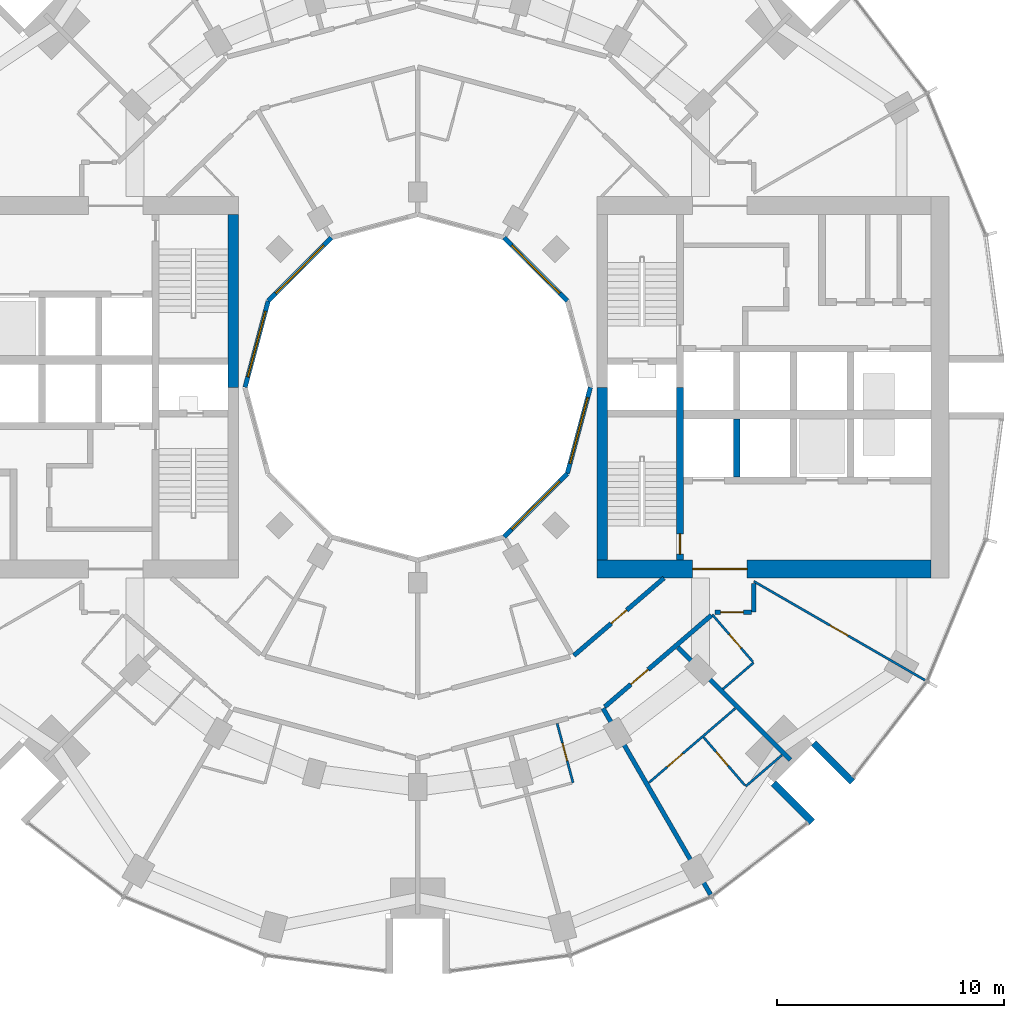
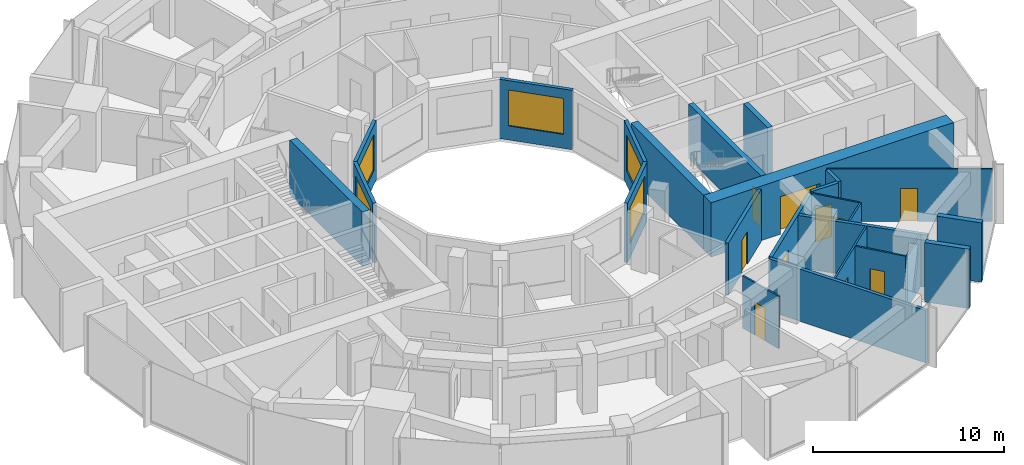
# One storey, part 10 of 15: 25 walls, 10 doors, 5 windows, 15 openings.
"""IFC4 building model written with IfcOpenShell, lengths in metres."""

from ifc_helpers import new_model, si_unit, direction, frame, frame_2d, origin, place, context, subcontext, project, spatial, rectangle, extrude, material, layer, layer_set, type_object, element, fill, save


model = new_model("IFC4")

# Units and contexts
model_context = context("Model", 3, precision=1e-05, world=origin(), true_north=direction((0.0, 1.0)))
body_context = subcontext(model_context, "Body", "Model", "MODEL_VIEW")
ifc_project = project(units=[si_unit("LENGTHUNIT", "METRE"), si_unit("AREAUNIT", "SQUARE_METRE"), si_unit("VOLUMEUNIT", "CUBIC_METRE"), si_unit("PLANEANGLEUNIT", "RADIAN"), si_unit("MASSUNIT", "GRAM", prefix="KILO")], contexts=[model_context])

# Site, building, storey
site_placement = place(None, origin())
site = spatial("IfcSite", under=ifc_project, at=site_placement, CompositionType="ELEMENT")
building_placement = place(site_placement, origin())
building = spatial("IfcBuilding", under=site, at=building_placement, Name="Torre Brocal", CompositionType="ELEMENT")
storey_placement = place(building_placement, frame((0.0, 0.0, 32.60009765625)))
storey = spatial("IfcBuildingStorey", under=building, at=storey_placement, Name="L06", CompositionType="ELEMENT", Elevation=32.60009765625)

# Wall, opening, door
ifc_material_1 = material(Name="Concrete C80", Category="concrete")
ifc_layer_1 = layer(ifc_material_1, 0.300048828125)
ifc_layer_set_1 = layer_set([ifc_layer_1], Name="Concrete C80")
wall_type_1 = type_object("IfcWallType", Name="CORE WALL 300 C80", PredefinedType="SHEAR", material=ifc_layer_set_1)
wall_1_placement = place(storey_placement, frame((91.550048828125, 67.39990234375, 0.0), z_axis=(0.0, 0.0, 1.0), x_axis=(0.0, 1.0, 0.0)))
wall_1 = element("IfcWall", 1, at=wall_1_placement, inside=storey, type_object=wall_type_1, Name="Wall CW300-80", PredefinedType="SHEAR", context=body_context, shape_type="SweptSolid", body=[
    extrude(rectangle(XDim=7.60009765625, YDim=0.300048828125, at=frame_2d((3.800048828125, 0.0))), origin(), (0.0, 0.0, 1.0), 3.47998046875),
])
opening_1_placement = place(wall_1_placement, frame((0.25, 0.0, 0.0)))
opening_1 = element("IfcOpeningElement", 2, at=opening_1_placement, cuts=wall_1, Name="Opening E-D03", PredefinedType="OPENING", context=body_context, shape_type="SweptSolid", body=[
    extrude(rectangle(XDim=0.89990234375, YDim=2.10009765625, at=frame_2d((0.449951171875, 1.050048828125))), frame((0.0, 0.159912109375, 0.0), z_axis=(0.0, -1.0, 0.0), x_axis=(1.0, 0.0, 0.0)), (0.0, 0.0, 1.0), 0.320068359375),
])
ifc_material_2 = material(Name="Steel A653", Category="steel")
door_type_1 = type_object("IfcDoorType", Name="STAIR DOOR FD120 900X2100", OperationType="SINGLE_SWING_RIGHT", PredefinedType="DOOR", material=ifc_material_2)
door_1_placement = place(opening_1_placement, origin())
door_1 = element("IfcDoor", 3, at=door_1_placement, inside=storey, type_object=door_type_1, Name="Door E-D03", OperationType="SINGLE_SWING_LEFT", OverallHeight=2.10009765625, OverallWidth=0.89990234375, PredefinedType="DOOR", context=body_context, shape_type="SweptSolid", body=[
    extrude(rectangle(XDim=0.89990234375, YDim=2.10009765625, at=frame_2d((0.449951171875, 1.050048828125))), frame((0.0, 0.02490234375, 0.0), z_axis=(0.0, -1.0, 0.0), x_axis=(1.0, 0.0, 0.0)), (0.0, 0.0, 1.0), 0.050048828125),
])
fill(opening_1, door_1)

# Walls
wall_2_placement = place(storey_placement, frame((94.050048828125, 71.050048828125, 0.0), z_axis=(0.0, 0.0, 1.0), x_axis=(0.0, 1.0, 0.0)))
element("IfcWall", 4, at=wall_2_placement, inside=storey, type_object=wall_type_1, Name="Wall CW300-80", PredefinedType="SHEAR", context=body_context, shape_type="SweptSolid", body=[
    extrude(rectangle(XDim=2.550048828125, YDim=0.300048828125, at=frame_2d((1.27490234375, 0.0))), origin(), (0.0, 0.0, 1.0), 3.47998046875),
])
ifc_material_3 = material(Name="Concrete C80", Category="concrete")
ifc_layer_2 = layer(ifc_material_3, 0.449951171875)
ifc_layer_set_2 = layer_set([ifc_layer_2], Name="Concrete C80")
wall_type_2 = type_object("IfcWallType", Name="CORE WALL 450 C80", PredefinedType="SHEAR", material=ifc_layer_set_2)
for number, where, z_axis, x_axis, name in (
    (5, (88.125, 67.39990234375, 0.0), (0.0, 0.0, 1.0), (0.0, 1.0, 0.0), "Wall CW450-80"),
    (6, (71.875, 82.60009765625, 0.0), (0.0, 0.0, 1.0), (0.0, -1.0, 0.0), "Wall CW450-80"),
):
    element("IfcWall", number, at=place(storey_placement, frame(where, z_axis=z_axis, x_axis=x_axis)), inside=storey, type_object=wall_type_2, Name=name, PredefinedType="SHEAR", context=body_context, shape_type="SweptSolid", body=[
        extrude(rectangle(XDim=7.60009765625, YDim=0.449951171875, at=frame_2d((3.800048828125, 0.0))), origin(), (0.0, 0.0, 1.0), 3.47998046875),
    ])

# Wall, opening, door
ifc_material_4 = material(Name="Concrete C80", Category="concrete")
ifc_layer_3 = layer(ifc_material_4, 0.800048828125)
ifc_layer_set_3 = layer_set([ifc_layer_3], Name="Concrete C80")
wall_type_3 = type_object("IfcWallType", Name="CORE WALL 800 C80", PredefinedType="SHEAR", material=ifc_layer_set_3)
wall_3_placement = place(storey_placement, frame((87.89990234375, 67.0, 0.0), z_axis=(0.0, 0.0, 1.0), x_axis=(1.0, 0.0, 0.0)))
wall_3 = element("IfcWall", 7, at=wall_3_placement, inside=storey, type_object=wall_type_3, Name="Wall CW800-80", PredefinedType="SHEAR", context=body_context, shape_type="SweptSolid", body=[
    extrude(rectangle(XDim=14.7001953125, YDim=0.800048828125, at=frame_2d((7.35009765625, 0.0))), origin(), (0.0, 0.0, 1.0), 3.47998046875),
])
opening_2_placement = place(wall_3_placement, frame((4.199951171875, 0.0, 0.0)))
opening_2 = element("IfcOpeningElement", 8, at=opening_2_placement, cuts=wall_3, Name="Opening E-D30", PredefinedType="OPENING", context=body_context, shape_type="SweptSolid", body=[
    extrude(rectangle(XDim=2.39990234375, YDim=2.39990234375, at=frame_2d((1.199951171875, 1.199951171875))), frame((0.0, 0.409912109375, 0.0), z_axis=(0.0, -1.0, 0.0), x_axis=(1.0, 0.0, 0.0)), (0.0, 0.0, 1.0), 0.820068359375),
])
ifc_material_5 = material(Name="Steel A653", Category="steel")
door_type_2 = type_object("IfcDoorType", Name="DOUBLE FIRE DOOR FD90 2400X2400", OperationType="DOUBLE_DOOR_SINGLE_SWING", PredefinedType="DOOR", material=ifc_material_5)
door_2_placement = place(opening_2_placement, origin())
door_2 = element("IfcDoor", 9, at=door_2_placement, inside=storey, type_object=door_type_2, Name="Door E-D30", OperationType="DOUBLE_DOOR_SINGLE_SWING", OverallHeight=2.39990234375, OverallWidth=2.39990234375, PredefinedType="DOOR", context=body_context, shape_type="SweptSolid", body=[
    extrude(rectangle(XDim=2.39990234375, YDim=2.39990234375, at=frame_2d((1.199951171875, 1.199951171875))), frame((0.0, 0.02490234375, 0.0), z_axis=(0.0, -1.0, 0.0), x_axis=(1.0, 0.0, 0.0)), (0.0, 0.0, 1.0), 0.050048828125),
])
fill(opening_2, door_2)

# Walls
ifc_material_6 = material(Name="Concrete C80", Category="concrete")
ifc_layer_4 = layer(ifc_material_6, 0.300048828125)
ifc_layer_set_4 = layer_set([ifc_layer_4], Name="Concrete C80")
wall_type_4 = type_object("IfcWallType", Name="NOTCH RETURN WALL 300 C80", PredefinedType="NOTDEFINED", material=ifc_layer_set_4)
for number, where, z_axis, x_axis, name in (
    (10, (95.662353515625, 57.56982421875, 0.0), (0.0, 0.0, 1.0), (0.707106781187, -0.707106781187, 0.0), "NOTCH RETURN WALL"),
    (11, (97.43017578125, 59.337646484375, 0.0), (0.0, 0.0, 1.0), (0.707106781187, -0.707106781187, 0.0), "NOTCH RETURN WALL"),
):
    element("IfcWall", number, at=place(storey_placement, frame(where, z_axis=z_axis, x_axis=x_axis)), inside=storey, type_object=wall_type_4, Name=name, PredefinedType="NOTDEFINED", context=body_context, shape_type="SweptSolid", body=[
        extrude(rectangle(XDim=2.415771484375, YDim=0.300048828125, at=frame_2d((1.2080078125, 0.0))), origin(), (0.0, 0.0, 1.0), 3.7998046875),
    ])

# Wall, opening, door
ifc_material_7 = material(Name="Gypsum board", Category="Gypsum")
ifc_layer_5 = layer(ifc_material_7, 0.10009765625)
ifc_layer_set_5 = layer_set([ifc_layer_5], Name="Gypsum board")
wall_type_5 = type_object("IfcWallType", Name="PARTITION 100", PredefinedType="PARTITIONING", material=ifc_layer_set_5)
wall_4_placement = place(storey_placement, frame((86.139892578125, 60.196044921875, 0.0), z_axis=(0.0, 0.0, 1.0), x_axis=(0.258945475746, -0.965891940432, 0.0)))
wall_4 = element("IfcWall", 12, at=wall_4_placement, inside=storey, type_object=wall_type_5, Name="BATHROOM WALL", PredefinedType="PARTITIONING", context=body_context, shape_type="SweptSolid", body=[
    extrude(rectangle(XDim=2.7001953125, YDim=0.10009765625, at=frame_2d((1.35009765625, 0.0))), origin(), (0.0, 0.0, 1.0), 3.349853515625),
])
opening_3_placement = place(wall_4_placement, frame((0.89990234375, 0.0, 0.0)))
opening_3 = element("IfcOpeningElement", 13, at=opening_3_placement, cuts=wall_4, Name="Opening H01-D33", PredefinedType="OPENING", context=body_context, shape_type="SweptSolid", body=[
    extrude(rectangle(XDim=0.800048828125, YDim=2.10009765625, at=frame_2d((0.39990234375, 1.050048828125))), frame((0.0, 0.06005859375, 0.0), z_axis=(0.0, -1.0, 0.0), x_axis=(1.0, 0.0, 0.0)), (0.0, 0.0, 1.0), 0.1201171875),
])
ifc_material_8 = material(Name="Timber", Category="wood")
door_type_3 = type_object("IfcDoorType", Name="BATHROOM DOOR 800X2100", OperationType="SINGLE_SWING_LEFT", PredefinedType="DOOR", material=ifc_material_8)
door_3_placement = place(opening_3_placement, frame((0.800048828125, 0.0, 0.0), z_axis=(0.0, 0.0, 1.0), x_axis=(-1.0, 0.0, 0.0)))
door_3 = element("IfcDoor", 14, at=door_3_placement, inside=storey, type_object=door_type_3, Name="H01-D33", OperationType="SINGLE_SWING_RIGHT", OverallHeight=2.10009765625, OverallWidth=0.800048828125, PredefinedType="DOOR", context=body_context, shape_type="SweptSolid", body=[
    extrude(rectangle(XDim=0.800048828125, YDim=2.10009765625, at=frame_2d((0.39990234375, 1.050048828125))), frame((0.0, 0.02490234375, 0.0), z_axis=(0.0, -1.0, 0.0), x_axis=(1.0, 0.0, 0.0)), (0.0, 0.0, 1.0), 0.050048828125),
])
fill(opening_3, door_3)

wall_5_placement = place(storey_placement, frame((90.17822265625, 57.5869140625, 0.0), z_axis=(0.0, 0.0, 1.0), x_axis=(0.758140003227, 0.652091815243, 0.0)))
wall_5 = element("IfcWall", 15, at=wall_5_placement, inside=storey, type_object=wall_type_5, Name="BATHROOM WALL", PredefinedType="PARTITIONING", context=body_context, shape_type="SweptSolid", body=[
    extrude(rectangle(XDim=5.02099609375, YDim=0.10009765625, at=frame_2d((2.510498046875, 0.0))), origin(), (0.0, 0.0, 1.0), 3.349853515625),
])
opening_4_placement = place(wall_5_placement, frame((1.070556640625, 0.0, 0.0)))
opening_4 = element("IfcOpeningElement", 16, at=opening_4_placement, cuts=wall_5, Name="Opening H01-D30", PredefinedType="OPENING", context=body_context, shape_type="SweptSolid", body=[
    extrude(rectangle(XDim=0.89990234375, YDim=2.10009765625, at=frame_2d((0.449951171875, 1.050048828125))), frame((0.0, 0.06005859375, 0.0), z_axis=(0.0, -1.0, 0.0), x_axis=(1.0, 0.0, 0.0)), (0.0, 0.0, 1.0), 0.1201171875),
])
ifc_material_9 = material(Name="Timber", Category="wood")
door_type_4 = type_object("IfcDoorType", Name="ROOM DOOR 900X2100", OperationType="SINGLE_SWING_LEFT", PredefinedType="DOOR", material=ifc_material_9)
door_4_placement = place(opening_4_placement, origin())
door_4 = element("IfcDoor", 17, at=door_4_placement, inside=storey, type_object=door_type_4, Name="H01-D30", OperationType="SINGLE_SWING_LEFT", OverallHeight=2.10009765625, OverallWidth=0.89990234375, PredefinedType="DOOR", context=body_context, shape_type="SweptSolid", body=[
    extrude(rectangle(XDim=0.89990234375, YDim=2.10009765625, at=frame_2d((0.449951171875, 1.050048828125))), frame((0.0, 0.02490234375, 0.0), z_axis=(0.0, -1.0, 0.0), x_axis=(1.0, 0.0, 0.0)), (0.0, 0.0, 1.0), 0.050048828125),
])
fill(opening_4, door_4)

wall_6_placement = place(storey_placement, frame((92.584716796875, 59.591064453125, 0.0), z_axis=(0.0, 0.0, 1.0), x_axis=(0.652011200591, -0.758209334092, 0.0)))
wall_6 = element("IfcWall", 18, at=wall_6_placement, inside=storey, type_object=wall_type_5, Name="BATHROOM WALL", PredefinedType="PARTITIONING", context=body_context, shape_type="SweptSolid", body=[
    extrude(rectangle(XDim=2.800048828125, YDim=0.10009765625, at=frame_2d((1.39990234375, 0.0))), origin(), (0.0, 0.0, 1.0), 3.349853515625),
])
opening_5_placement = place(wall_6_placement, frame((0.85009765625, 0.0, 0.0)))
opening_5 = element("IfcOpeningElement", 19, at=opening_5_placement, cuts=wall_6, Name="Opening H01-D31", PredefinedType="OPENING", context=body_context, shape_type="SweptSolid", body=[
    extrude(rectangle(XDim=0.800048828125, YDim=2.10009765625, at=frame_2d((0.39990234375, 1.050048828125))), frame((0.0, 0.06005859375, 0.0), z_axis=(0.0, -1.0, 0.0), x_axis=(1.0, 0.0, 0.0)), (0.0, 0.0, 1.0), 0.1201171875),
])
door_5_placement = place(opening_5_placement, origin())
door_5 = element("IfcDoor", 20, at=door_5_placement, inside=storey, type_object=door_type_3, Name="H01-D31", OperationType="SINGLE_SWING_LEFT", OverallHeight=2.10009765625, OverallWidth=0.800048828125, PredefinedType="DOOR", context=body_context, shape_type="SweptSolid", body=[
    extrude(rectangle(XDim=0.800048828125, YDim=2.10009765625, at=frame_2d((0.39990234375, 1.050048828125))), frame((0.0, 0.02490234375, 0.0), z_axis=(0.0, -1.0, 0.0), x_axis=(1.0, 0.0, 0.0)), (0.0, 0.0, 1.0), 0.050048828125),
])
fill(opening_5, door_5)

wall_7_placement = place(storey_placement, frame((92.965087890625, 64.996826171875, 0.0), z_axis=(0.0, 0.0, 1.0), x_axis=(0.652069888227, -0.758158862553, 0.0)))
wall_7 = element("IfcWall", 21, at=wall_7_placement, inside=storey, type_object=wall_type_5, Name="BATHROOM WALL", PredefinedType="PARTITIONING", context=body_context, shape_type="SweptSolid", body=[
    extrude(rectangle(XDim=2.75, YDim=0.10009765625, at=frame_2d((1.375, 0.0))), origin(), (0.0, 0.0, 1.0), 3.349853515625),
])
opening_6_placement = place(wall_7_placement, frame((1.14990234375, 0.0, 0.0)))
opening_6 = element("IfcOpeningElement", 22, at=opening_6_placement, cuts=wall_7, Name="Opening H01-D27", PredefinedType="OPENING", context=body_context, shape_type="SweptSolid", body=[
    extrude(rectangle(XDim=0.800048828125, YDim=2.10009765625, at=frame_2d((0.39990234375, 1.050048828125))), frame((0.0, 0.06005859375, 0.0), z_axis=(0.0, -1.0, 0.0), x_axis=(1.0, 0.0, 0.0)), (0.0, 0.0, 1.0), 0.1201171875),
])
door_6_placement = place(opening_6_placement, frame((0.800048828125, 0.0, 0.0), z_axis=(0.0, 0.0, 1.0), x_axis=(-1.0, 0.0, 0.0)))
door_6 = element("IfcDoor", 23, at=door_6_placement, inside=storey, type_object=door_type_3, Name="H01-D27", OperationType="SINGLE_SWING_LEFT", OverallHeight=2.10009765625, OverallWidth=0.800048828125, PredefinedType="DOOR", context=body_context, shape_type="SweptSolid", body=[
    extrude(rectangle(XDim=0.800048828125, YDim=2.10009765625, at=frame_2d((0.39990234375, 1.050048828125))), frame((0.0, 0.02490234375, 0.0), z_axis=(0.0, -1.0, 0.0), x_axis=(1.0, 0.0, 0.0)), (0.0, 0.0, 1.0), 0.050048828125),
])
fill(opening_6, door_6)

# Walls
wall_8_placement = place(storey_placement, frame((93.434814453125, 61.707275390625, 0.0), z_axis=(0.0, 0.0, 1.0), x_axis=(0.758070495124, 0.652172618578, 0.0)))
element("IfcWall", 24, at=wall_8_placement, inside=storey, type_object=wall_type_5, Name="BATHROOM WALL", PredefinedType="PARTITIONING", context=body_context, shape_type="SweptSolid", body=[
    extrude(rectangle(XDim=1.7890625, YDim=0.10009765625, at=frame_2d((0.89453125, 0.0))), origin(), (0.0, 0.0, 1.0), 3.349853515625),
])
wall_9_placement = place(storey_placement, frame((94.443115234375, 57.429931640625, 0.0), z_axis=(0.0, 0.0, 1.0), x_axis=(0.757840386328, 0.65243999636, 0.0)))
element("IfcWall", 25, at=wall_9_placement, inside=storey, type_object=wall_type_5, Name="BATHROOM WALL", PredefinedType="PARTITIONING", context=body_context, shape_type="SweptSolid", body=[
    extrude(rectangle(XDim=2.10791015625, YDim=0.10009765625, at=frame_2d((1.053955078125, 0.0))), origin(), (0.0, 0.0, 1.0), 3.349853515625),
])

# Wall, opening, door
wall_10_placement = place(storey_placement, frame((94.800048828125, 66.455078125, 0.0), z_axis=(0.0, 0.0, 1.0), x_axis=(0.86602264145, -0.500004784474, 0.0)))
wall_10 = element("IfcWall", 26, at=wall_10_placement, inside=storey, type_object=wall_type_5, Name="ROOM PARTITION", PredefinedType="PARTITIONING", context=body_context, shape_type="SweptSolid", body=[
    extrude(rectangle(XDim=8.7080078125, YDim=0.10009765625, at=frame_2d((4.35400390625, 0.0))), origin(), (0.0, 0.0, 1.0), 3.349853515625),
])
opening_7_placement = place(wall_10_placement, frame((3.87890625, 0.0, 0.0)))
opening_7 = element("IfcOpeningElement", 27, at=opening_7_placement, cuts=wall_10, Name="Opening H01-D28", PredefinedType="OPENING", context=body_context, shape_type="SweptSolid", body=[
    extrude(rectangle(XDim=0.89990234375, YDim=2.10009765625, at=frame_2d((0.449951171875, 1.050048828125))), frame((0.0, 0.06005859375, 0.0), z_axis=(0.0, -1.0, 0.0), x_axis=(1.0, 0.0, 0.0)), (0.0, 0.0, 1.0), 0.1201171875),
])
door_7_placement = place(opening_7_placement, origin())
door_7 = element("IfcDoor", 28, at=door_7_placement, inside=storey, type_object=door_type_4, Name="H01-D28", OperationType="SINGLE_SWING_LEFT", OverallHeight=2.10009765625, OverallWidth=0.89990234375, PredefinedType="DOOR", context=body_context, shape_type="SweptSolid", body=[
    extrude(rectangle(XDim=0.89990234375, YDim=2.10009765625, at=frame_2d((0.449951171875, 1.050048828125))), frame((0.0, 0.02490234375, 0.0), z_axis=(0.0, -1.0, 0.0), x_axis=(1.0, 0.0, 0.0)), (0.0, 0.0, 1.0), 0.050048828125),
])
fill(opening_7, door_7)

ifc_material_10 = material(Name="Gypsum board", Category="Gypsum")
ifc_layer_6 = layer(ifc_material_10, 0.199951171875)
ifc_layer_set_6 = layer_set([ifc_layer_6], Name="Gypsum board")
wall_type_6 = type_object("IfcWallType", Name="PARTITION 200 EI60", PredefinedType="PARTITIONING", material=ifc_layer_set_6)
wall_11_placement = place(storey_placement, frame((86.876953125, 63.18896484375, 0.0), z_axis=(0.0, 0.0, 1.0), x_axis=(0.758075808328, 0.652166442581, 0.0)))
wall_11 = element("IfcWall", 29, at=wall_11_placement, inside=storey, type_object=wall_type_6, Name="CORRIDOR WALL", PredefinedType="PARTITIONING", context=body_context, shape_type="SweptSolid", body=[
    extrude(rectangle(XDim=5.23046875, YDim=0.199951171875, at=frame_2d((2.615234375, 0.0))), origin(), (0.0, 0.0, 1.0), 3.349853515625),
])
opening_8_placement = place(wall_11_placement, frame((2.165283203125, 0.0, 0.0)))
opening_8 = element("IfcOpeningElement", 30, at=opening_8_placement, cuts=wall_11, Name="Opening H01-D43", PredefinedType="OPENING", context=body_context, shape_type="SweptSolid", body=[
    extrude(rectangle(XDim=0.89990234375, YDim=2.10009765625, at=frame_2d((0.449951171875, 1.050048828125))), frame((0.0, 0.10986328125, 0.0), z_axis=(0.0, -1.0, 0.0), x_axis=(1.0, 0.0, 0.0)), (0.0, 0.0, 1.0), 0.219970703125),
])
door_8_placement = place(opening_8_placement, origin())
door_8 = element("IfcDoor", 31, at=door_8_placement, inside=storey, type_object=door_type_4, Name="H01-D43", OperationType="SINGLE_SWING_RIGHT", OverallHeight=2.10009765625, OverallWidth=0.89990234375, PredefinedType="DOOR", context=body_context, shape_type="SweptSolid", body=[
    extrude(rectangle(XDim=0.89990234375, YDim=2.10009765625, at=frame_2d((0.449951171875, 1.050048828125))), frame((0.0, 0.02490234375, 0.0), z_axis=(0.0, -1.0, 0.0), x_axis=(1.0, 0.0, 0.0)), (0.0, 0.0, 1.0), 0.050048828125),
])
fill(opening_8, door_8)

wall_12_placement = place(storey_placement, frame((88.234619140625, 60.931396484375, 0.0), z_axis=(0.0, 0.0, 1.0), x_axis=(0.758799498714, 0.651324282329, 0.0)))
wall_12 = element("IfcWall", 32, at=wall_12_placement, inside=storey, type_object=wall_type_6, Name="FLAT ENTRANCE WALL", PredefinedType="PARTITIONING", context=body_context, shape_type="SweptSolid", body=[
    extrude(rectangle(XDim=6.185546875, YDim=0.199951171875, at=frame_2d((3.0927734375, 0.0))), origin(), (0.0, 0.0, 1.0), 3.349853515625),
])
opening_9_placement = place(wall_12_placement, frame((1.518798828125, 0.0, 0.0)))
opening_9 = element("IfcOpeningElement", 33, at=opening_9_placement, cuts=wall_12, Name="Opening H01-D29", PredefinedType="OPENING", context=body_context, shape_type="SweptSolid", body=[
    extrude(rectangle(XDim=1.0, YDim=2.10009765625, at=frame_2d((0.5, 1.050048828125))), frame((0.0, 0.10986328125, 0.0), z_axis=(0.0, -1.0, 0.0), x_axis=(1.0, 0.0, 0.0)), (0.0, 0.0, 1.0), 0.219970703125),
])
ifc_material_11 = material(Name="Timber", Category="wood")
door_type_5 = type_object("IfcDoorType", Name="FLAT ENTRY DOOR FD30S 1000X2100", OperationType="SINGLE_SWING_RIGHT", PredefinedType="DOOR", material=ifc_material_11)
door_9_placement = place(opening_9_placement, frame((1.0, 0.0, 0.0), z_axis=(0.0, 0.0, 1.0), x_axis=(-1.0, 0.0, 0.0)))
door_9 = element("IfcDoor", 34, at=door_9_placement, inside=storey, type_object=door_type_5, Name="H01-D29", OperationType="SINGLE_SWING_LEFT", OverallHeight=2.10009765625, OverallWidth=1.0, PredefinedType="DOOR", context=body_context, shape_type="SweptSolid", body=[
    extrude(rectangle(XDim=1.0, YDim=2.10009765625, at=frame_2d((0.5, 1.050048828125))), frame((0.0, 0.02490234375, 0.0), z_axis=(0.0, -1.0, 0.0), x_axis=(1.0, 0.0, 0.0)), (0.0, 0.0, 1.0), 0.050048828125),
])
fill(opening_9, door_9)

# Walls
wall_13_placement = place(storey_placement, frame((88.159912109375, 60.863037109375, 0.0), z_axis=(0.0, 0.0, 1.0), x_axis=(0.499946996988, -0.866056002925, 0.0)))
element("IfcWall", 35, at=wall_13_placement, inside=storey, type_object=wall_type_6, Name="PARTY PARTITION", PredefinedType="PARTITIONING", context=body_context, shape_type="SweptSolid", body=[
    extrude(rectangle(XDim=9.474609375, YDim=0.199951171875, at=frame_2d((4.7373046875, 0.0))), origin(), (0.0, 0.0, 1.0), 3.349853515625),
])
wall_14_placement = place(storey_placement, frame((91.449462890625, 63.5478515625, 0.0), z_axis=(0.0, 0.0, 1.0), x_axis=(0.706984804638, -0.707228736698, 0.0)))
element("IfcWall", 36, at=wall_14_placement, inside=storey, type_object=wall_type_6, Name="BATHROOM WALL", PredefinedType="PARTITIONING", context=body_context, shape_type="SweptSolid", body=[
    extrude(rectangle(XDim=7.006103515625, YDim=0.199951171875, at=frame_2d((3.5029296875, 0.0))), origin(), (0.0, 0.0, 1.0), 3.349853515625),
])

# Wall, opening, door
wall_15_placement = place(storey_placement, frame((93.0849609375, 65.10009765625, 0.0), z_axis=(0.0, 0.0, 1.0), x_axis=(1.0, 0.0, 0.0)))
wall_15 = element("IfcWall", 37, at=wall_15_placement, inside=storey, type_object=wall_type_6, Name="GUESTROOM CORRIDOR WALL", PredefinedType="PARTITIONING", context=body_context, shape_type="SweptSolid", body=[
    extrude(rectangle(XDim=1.614990234375, YDim=0.199951171875, at=frame_2d((0.8076171875, 0.0))), origin(), (0.0, 0.0, 1.0), 3.349853515625),
])
opening_10_placement = place(wall_15_placement, frame((0.25, 0.0, 0.0)))
opening_10 = element("IfcOpeningElement", 38, at=opening_10_placement, cuts=wall_15, Name="Opening H01-D26", PredefinedType="OPENING", context=body_context, shape_type="SweptSolid", body=[
    extrude(rectangle(XDim=1.0, YDim=2.10009765625, at=frame_2d((0.5, 1.050048828125))), frame((0.0, 0.10986328125, 0.0), z_axis=(0.0, -1.0, 0.0), x_axis=(1.0, 0.0, 0.0)), (0.0, 0.0, 1.0), 0.219970703125),
])
door_10_placement = place(opening_10_placement, frame((1.0, 0.0, 0.0), z_axis=(0.0, 0.0, 1.0), x_axis=(-1.0, 0.0, 0.0)))
door_10 = element("IfcDoor", 39, at=door_10_placement, inside=storey, type_object=door_type_5, Name="H01-D26", OperationType="SINGLE_SWING_LEFT", OverallHeight=2.10009765625, OverallWidth=1.0, PredefinedType="DOOR", context=body_context, shape_type="SweptSolid", body=[
    extrude(rectangle(XDim=1.0, YDim=2.10009765625, at=frame_2d((0.5, 1.050048828125))), frame((0.0, 0.02490234375, 0.0), z_axis=(0.0, -1.0, 0.0), x_axis=(1.0, 0.0, 0.0)), (0.0, 0.0, 1.0), 0.050048828125),
])
fill(opening_10, door_10)

# Wall
wall_16_placement = place(storey_placement, frame((94.800048828125, 65.10009765625, 0.0), z_axis=(0.0, 0.0, 1.0), x_axis=(0.0, 1.0, 0.0)))
element("IfcWall", 40, at=wall_16_placement, inside=storey, type_object=wall_type_6, Name="GUESTROOM CORRIDOR WALL", PredefinedType="PARTITIONING", context=body_context, shape_type="SweptSolid", body=[
    extrude(rectangle(XDim=1.25, YDim=0.199951171875, at=frame_2d((0.625, 0.0))), origin(), (0.0, 0.0, 1.0), 3.349853515625),
])

# Wall, opening, window
ifc_material_12 = material(Name="Concrete C40", Category="concrete")
ifc_layer_7 = layer(ifc_material_12, 0.199951171875)
ifc_layer_set_7 = layer_set([ifc_layer_7], Name="Concrete C40")
wall_type_7 = type_object("IfcWallType", Name="WELL FACADE WALL 200", PredefinedType="NOTDEFINED", material=ifc_layer_set_7)
wall_17_placement = place(storey_placement, frame((86.5849609375, 78.8017578125, 0.0), z_axis=(0.0, 0.0, 1.0), x_axis=(-0.707106781187, 0.707106781187, 0.0)))
wall_17 = element("IfcWall", 41, at=wall_17_placement, inside=storey, type_object=wall_type_7, Name="WELL FACADE WALL", PredefinedType="NOTDEFINED", context=body_context, shape_type="SweptSolid", body=[
    extrude(rectangle(XDim=3.93603515625, YDim=0.199951171875, at=frame_2d((1.968017578125, 0.0))), origin(), (0.0, 0.0, 1.0), 3.7998046875),
])
opening_11_placement = place(wall_17_placement, frame((0.468017578125, 0.0, 0.89990234375)))
opening_11 = element("IfcOpeningElement", 42, at=opening_11_placement, cuts=wall_17, Name="Opening W1", PredefinedType="OPENING", context=body_context, shape_type="SweptSolid", body=[
    extrude(rectangle(XDim=3.0, YDim=2.300048828125, at=frame_2d((1.5, 1.14990234375))), frame((0.0, 0.10986328125, 0.0), z_axis=(0.0, -1.0, 0.0), x_axis=(1.0, 0.0, 0.0)), (0.0, 0.0, 1.0), 0.219970703125),
])
ifc_material_13 = material(Name="Aluminium and glass", Category="aluminium")
window_type = type_object("IfcWindowType", Name="WELL WINDOW 3000X2300", PartitioningType="SINGLE_PANEL", PredefinedType="WINDOW", material=ifc_material_13)
window_1_placement = place(opening_11_placement, origin())
window_1 = element("IfcWindow", 43, at=window_1_placement, inside=storey, type_object=window_type, Name="WELL WINDOW 3000X2300", OverallHeight=2.300048828125, OverallWidth=3.0, PartitioningType="SINGLE_PANEL", PredefinedType="WINDOW", context=body_context, shape_type="SweptSolid", body=[
    extrude(rectangle(XDim=3.0, YDim=2.300048828125, at=frame_2d((1.5, 1.14990234375))), frame((0.0, 0.030029296875, 0.0), z_axis=(0.0, -1.0, 0.0), x_axis=(1.0, 0.0, 0.0)), (0.0, 0.0, 1.0), 0.06005859375),
])
fill(opening_11, window_1)

wall_18_placement = place(storey_placement, frame((76.1982421875, 81.5849609375, 0.0), z_axis=(0.0, 0.0, 1.0), x_axis=(-0.707106781187, -0.707106781187, 0.0)))
wall_18 = element("IfcWall", 44, at=wall_18_placement, inside=storey, type_object=wall_type_7, Name="WELL FACADE WALL", PredefinedType="NOTDEFINED", context=body_context, shape_type="SweptSolid", body=[
    extrude(rectangle(XDim=3.93603515625, YDim=0.199951171875, at=frame_2d((1.968017578125, 0.0))), origin(), (0.0, 0.0, 1.0), 3.7998046875),
])
opening_12_placement = place(wall_18_placement, frame((0.468017578125, 0.0, 0.89990234375)))
opening_12 = element("IfcOpeningElement", 45, at=opening_12_placement, cuts=wall_18, Name="Opening W1", PredefinedType="OPENING", context=body_context, shape_type="SweptSolid", body=[
    extrude(rectangle(XDim=3.0, YDim=2.300048828125, at=frame_2d((1.5, 1.14990234375))), frame((0.0, 0.10986328125, 0.0), z_axis=(0.0, -1.0, 0.0), x_axis=(1.0, 0.0, 0.0)), (0.0, 0.0, 1.0), 0.219970703125),
])
window_2_placement = place(opening_12_placement, origin())
window_2 = element("IfcWindow", 46, at=window_2_placement, inside=storey, type_object=window_type, Name="WELL WINDOW 3000X2300", OverallHeight=2.300048828125, OverallWidth=3.0, PartitioningType="SINGLE_PANEL", PredefinedType="WINDOW", context=body_context, shape_type="SweptSolid", body=[
    extrude(rectangle(XDim=3.0, YDim=2.300048828125, at=frame_2d((1.5, 1.14990234375))), frame((0.0, 0.030029296875, 0.0), z_axis=(0.0, -1.0, 0.0), x_axis=(1.0, 0.0, 0.0)), (0.0, 0.0, 1.0), 0.06005859375),
])
fill(opening_12, window_2)

wall_19_placement = place(storey_placement, frame((73.4150390625, 78.8017578125, 0.0), z_axis=(0.0, 0.0, 1.0), x_axis=(-0.258789828301, -0.965933654434, 0.0)))
wall_19 = element("IfcWall", 47, at=wall_19_placement, inside=storey, type_object=wall_type_7, Name="WELL FACADE WALL", PredefinedType="NOTDEFINED", context=body_context, shape_type="SweptSolid", body=[
    extrude(rectangle(XDim=3.935791015625, YDim=0.199951171875, at=frame_2d((1.9677734375, 0.0))), origin(), (0.0, 0.0, 1.0), 3.7998046875),
])
opening_13_placement = place(wall_19_placement, frame((0.468017578125, 0.0, 0.89990234375)))
opening_13 = element("IfcOpeningElement", 48, at=opening_13_placement, cuts=wall_19, Name="Opening W1", PredefinedType="OPENING", context=body_context, shape_type="SweptSolid", body=[
    extrude(rectangle(XDim=3.0, YDim=2.300048828125, at=frame_2d((1.5, 1.14990234375))), frame((0.0, 0.10986328125, 0.0), z_axis=(0.0, -1.0, 0.0), x_axis=(1.0, 0.0, 0.0)), (0.0, 0.0, 1.0), 0.219970703125),
])
window_3_placement = place(opening_13_placement, origin())
window_3 = element("IfcWindow", 49, at=window_3_placement, inside=storey, type_object=window_type, Name="WELL WINDOW 3000X2300", OverallHeight=2.300048828125, OverallWidth=3.0, PartitioningType="SINGLE_PANEL", PredefinedType="WINDOW", context=body_context, shape_type="SweptSolid", body=[
    extrude(rectangle(XDim=3.0, YDim=2.300048828125, at=frame_2d((1.5, 1.14990234375))), frame((0.0, 0.030029296875, 0.0), z_axis=(0.0, -1.0, 0.0), x_axis=(1.0, 0.0, 0.0)), (0.0, 0.0, 1.0), 0.06005859375),
])
fill(opening_13, window_3)

wall_20_placement = place(storey_placement, frame((83.8017578125, 68.4150390625, 0.0), z_axis=(0.0, 0.0, 1.0), x_axis=(0.707106781187, 0.707106781187, 0.0)))
wall_20 = element("IfcWall", 50, at=wall_20_placement, inside=storey, type_object=wall_type_7, Name="WELL FACADE WALL", PredefinedType="NOTDEFINED", context=body_context, shape_type="SweptSolid", body=[
    extrude(rectangle(XDim=3.93603515625, YDim=0.199951171875, at=frame_2d((1.968017578125, 0.0))), origin(), (0.0, 0.0, 1.0), 3.7998046875),
])
opening_14_placement = place(wall_20_placement, frame((0.468017578125, 0.0, 0.89990234375)))
opening_14 = element("IfcOpeningElement", 51, at=opening_14_placement, cuts=wall_20, Name="Opening W1", PredefinedType="OPENING", context=body_context, shape_type="SweptSolid", body=[
    extrude(rectangle(XDim=3.0, YDim=2.300048828125, at=frame_2d((1.5, 1.14990234375))), frame((0.0, 0.10986328125, 0.0), z_axis=(0.0, -1.0, 0.0), x_axis=(1.0, 0.0, 0.0)), (0.0, 0.0, 1.0), 0.219970703125),
])
window_4_placement = place(opening_14_placement, origin())
window_4 = element("IfcWindow", 52, at=window_4_placement, inside=storey, type_object=window_type, Name="WELL WINDOW 3000X2300", OverallHeight=2.300048828125, OverallWidth=3.0, PartitioningType="SINGLE_PANEL", PredefinedType="WINDOW", context=body_context, shape_type="SweptSolid", body=[
    extrude(rectangle(XDim=3.0, YDim=2.300048828125, at=frame_2d((1.5, 1.14990234375))), frame((0.0, 0.030029296875, 0.0), z_axis=(0.0, -1.0, 0.0), x_axis=(1.0, 0.0, 0.0)), (0.0, 0.0, 1.0), 0.06005859375),
])
fill(opening_14, window_4)

wall_21_placement = place(storey_placement, frame((86.5849609375, 71.1982421875, 0.0), z_axis=(0.0, 0.0, 1.0), x_axis=(0.258789828301, 0.965933654434, 0.0)))
wall_21 = element("IfcWall", 53, at=wall_21_placement, inside=storey, type_object=wall_type_7, Name="WELL FACADE WALL", PredefinedType="NOTDEFINED", context=body_context, shape_type="SweptSolid", body=[
    extrude(rectangle(XDim=3.935791015625, YDim=0.199951171875, at=frame_2d((1.9677734375, 0.0))), origin(), (0.0, 0.0, 1.0), 3.7998046875),
])
opening_15_placement = place(wall_21_placement, frame((0.468017578125, 0.0, 0.89990234375)))
opening_15 = element("IfcOpeningElement", 54, at=opening_15_placement, cuts=wall_21, Name="Opening W1", PredefinedType="OPENING", context=body_context, shape_type="SweptSolid", body=[
    extrude(rectangle(XDim=3.0, YDim=2.300048828125, at=frame_2d((1.5, 1.14990234375))), frame((0.0, 0.10986328125, 0.0), z_axis=(0.0, -1.0, 0.0), x_axis=(1.0, 0.0, 0.0)), (0.0, 0.0, 1.0), 0.219970703125),
])
window_5_placement = place(opening_15_placement, origin())
window_5 = element("IfcWindow", 55, at=window_5_placement, inside=storey, type_object=window_type, Name="WELL WINDOW 3000X2300", OverallHeight=2.300048828125, OverallWidth=3.0, PartitioningType="SINGLE_PANEL", PredefinedType="WINDOW", context=body_context, shape_type="SweptSolid", body=[
    extrude(rectangle(XDim=3.0, YDim=2.300048828125, at=frame_2d((1.5, 1.14990234375))), frame((0.0, 0.030029296875, 0.0), z_axis=(0.0, -1.0, 0.0), x_axis=(1.0, 0.0, 0.0)), (0.0, 0.0, 1.0), 0.06005859375),
])
fill(opening_15, window_5)

save(model, "model.ifc")
